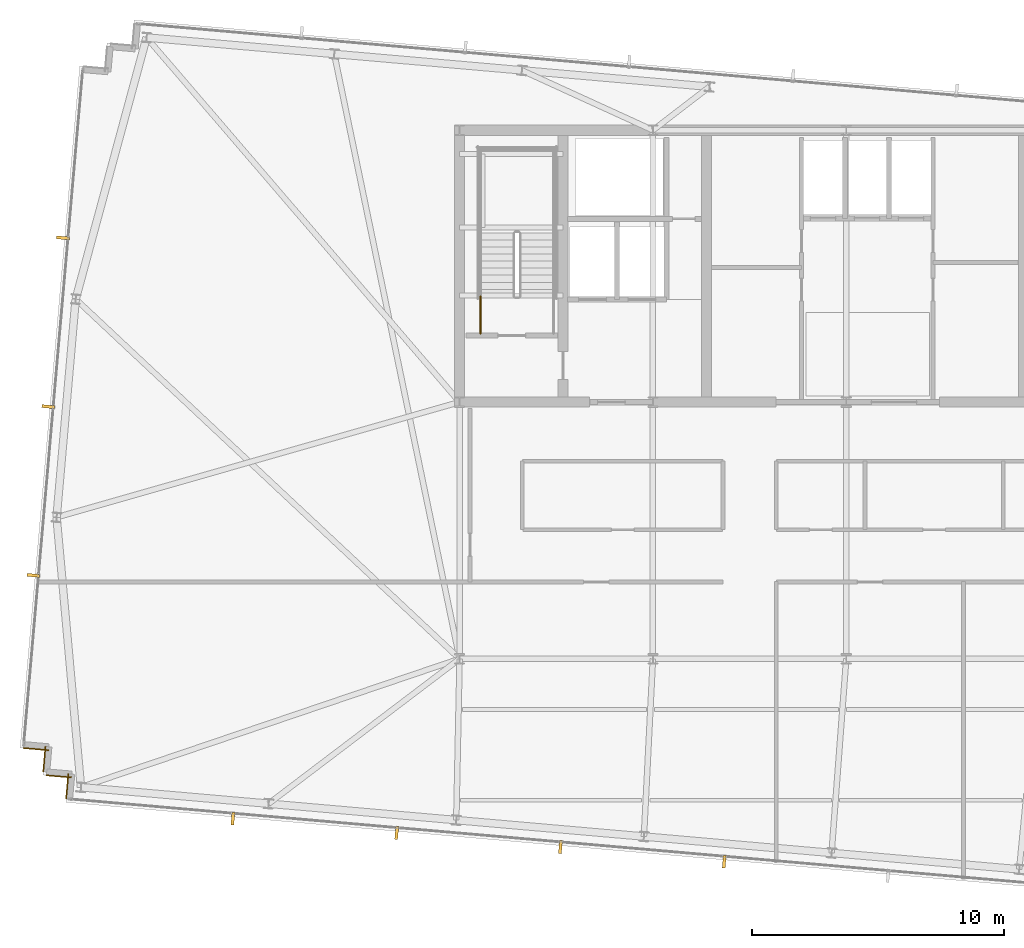
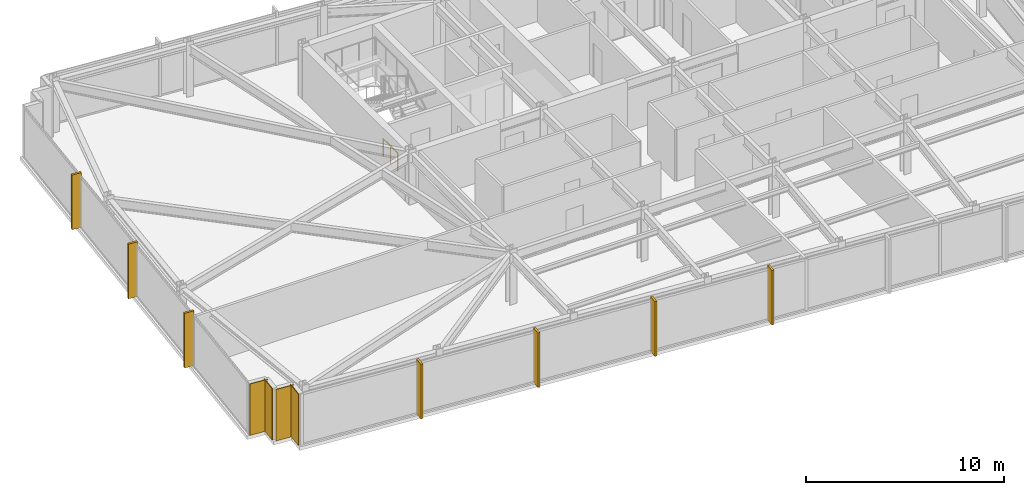
# One storey, part 29 of 32: 7 shading devices, 4 coverings, 1 railing.
"""IFC4 building model written with IfcOpenShell, lengths in metres."""

import ifcopenshell
import ifcopenshell.guid

model = None  # the IFC model being written
_history = None  # IfcOwnerHistory: only IFC2X3 demands one
_inside = {}  # id of a spatial element -> (the spatial element, [elements in it])
_under = {}  # id of a project, library or spatial element -> (it, [spatial elements below it])
_declared = {}  # id of a project -> (the project, [libraries it declares])
_typed = {}  # id of a type object -> (the type object, [elements of that type])
_made_of = {}  # id of a material, layer set ... -> (it, [elements and type objects made of it])


def new_model(schema):
    """Start an empty IFC model of exactly this schema.

    Asked for "IFC4X3", IfcOpenShell would pick the latest addendum, in which some entities
    have other attributes; the version numbers below select the first issue.
    IFC2X3 requires an IfcOwnerHistory on every rooted entity: one is made here for all.
    """
    global model, _history
    if schema == "IFC4X3":
        model = ifcopenshell.file(schema_version=(4, 3, 0, 0))
    else:
        model = ifcopenshell.file(schema=schema)
    _inside.clear()
    _under.clear()
    _declared.clear()
    _typed.clear()
    _made_of.clear()
    _history = None
    if model.schema == "IFC2X3":
        org = make("IfcOrganization", Name="unknown")
        user = make(
            "IfcPersonAndOrganization",
            ThePerson=make("IfcPerson", FamilyName="unknown"),
            TheOrganization=org,
        )
        app = make(
            "IfcApplication",
            ApplicationDeveloper=org,
            Version="unknown",
            ApplicationFullName="unknown",
            ApplicationIdentifier="unknown",
        )
        _history = make(
            "IfcOwnerHistory",
            OwningUser=user,
            OwningApplication=app,
            ChangeAction="ADDED",
            CreationDate=0,
        )
    return model


def make(cls, **values):
    """One entity of the class cls with the attributes given. An attribute that is None is left unset."""
    return model.create_entity(
        cls, **{name: value for name, value in values.items() if value is not None}
    )


def rooted(cls, **values):
    """An entity with a GlobalId (a new one), such as an element, a storey or a relation."""
    return make(cls, GlobalId=ifcopenshell.guid.new(), OwnerHistory=_history, **values)


def si_unit(unit_type, name, prefix=None):
    """IfcSIUnit, for example si_unit("LENGTHUNIT", "METRE", prefix="MILLI")."""
    return make("IfcSIUnit", UnitType=unit_type, Prefix=prefix, Name=name)


def assignment(units):
    """IfcUnitAssignment: the units of a project."""
    return None if units is None else make("IfcUnitAssignment", Units=units)


def point(xyz):
    """IfcCartesianPoint."""
    return None if xyz is None else make("IfcCartesianPoint", Coordinates=xyz)


def direction(xyz):
    """IfcDirection."""
    return None if xyz is None else make("IfcDirection", DirectionRatios=xyz)


def frame(location, z_axis=None, x_axis=None):
    """IfcAxis2Placement3D, a coordinate frame: its origin and axes. An axis left out is left unset."""
    return make(
        "IfcAxis2Placement3D",
        Location=point(location),
        Axis=direction(z_axis),
        RefDirection=direction(x_axis),
    )


def frame_2d(location, x_axis=None):
    """IfcAxis2Placement2D, a coordinate frame in the plane: its origin and x axis."""
    return make(
        "IfcAxis2Placement2D", Location=point(location), RefDirection=direction(x_axis)
    )


def origin():
    """The frame at (0, 0, 0) with its axes left unset."""
    return frame((0.0, 0.0, 0.0))


def origin_2d():
    """The frame at (0, 0) in the plane with its x axis left unset."""
    return frame_2d((0.0, 0.0))


def place(relative_to, where):
    """IfcLocalPlacement: puts the frame where relative to a parent placement (None: the world)."""
    return make(
        "IfcLocalPlacement", PlacementRelTo=relative_to, RelativePlacement=where
    )


def context(
    kind, dimensions, precision=None, world=None, true_north=None, identifier=None
):
    """IfcGeometricRepresentationContext, for example the 3D "Model" context."""
    return make(
        "IfcGeometricRepresentationContext",
        ContextIdentifier=identifier,
        ContextType=kind,
        CoordinateSpaceDimension=dimensions,
        Precision=precision,
        WorldCoordinateSystem=world,
        TrueNorth=true_north,
    )


def subcontext(parent, identifier, kind, view, scale=None):
    """IfcGeometricRepresentationSubContext, for example "Body" below "Model"."""
    return make(
        "IfcGeometricRepresentationSubContext",
        ContextIdentifier=identifier,
        ContextType=kind,
        ParentContext=parent,
        TargetScale=scale,
        TargetView=view,
    )


def project(units=None, contexts=None):
    """IfcProject with its units and contexts."""
    return rooted(
        "IfcProject",
        Name="project",
        RepresentationContexts=contexts,
        UnitsInContext=assignment(units),
    )


def spatial(cls, under=None, at=None, **own):
    """A site, building, storey or space (cls), placed at a placement, below another one or the project."""
    s = rooted(cls, ObjectPlacement=at, **own)
    if under is not None:
        _under.setdefault(under.id(), (under, []))[1].append(s)
    return s


def profile(cls, at=None, kind="AREA", **sizes):
    """A parametric profile (cls). Its sizes go by their IFC names, for example OverallWidth=200.0."""
    return make(cls, ProfileType=kind, Position=at, **sizes)


def rectangle(**sizes):
    """IfcRectangleProfileDef."""
    return profile("IfcRectangleProfileDef", **sizes)


def circle(**sizes):
    """IfcCircleProfileDef."""
    return profile("IfcCircleProfileDef", **sizes)


def extrude(swept, where, along, depth):
    """IfcExtrudedAreaSolid: the profile swept, set in the frame where, extruded along a direction by depth."""
    return make(
        "IfcExtrudedAreaSolid",
        SweptArea=swept,
        Position=where,
        ExtrudedDirection=direction(along),
        Depth=depth,
    )


def shape(context_of_items, identifier, shape_type, items):
    """IfcShapeRepresentation: the items that make up one representation, for example the "Body"."""
    return make(
        "IfcShapeRepresentation",
        ContextOfItems=context_of_items,
        RepresentationIdentifier=identifier,
        RepresentationType=shape_type,
        Items=items,
    )


def material(Name=None, Category=None):
    """IfcMaterial."""
    return make("IfcMaterial", Name=Name, Category=Category)


def layer(
    of_material, thickness, ventilated=None, Name=None, Category=None, Priority=None
):
    """IfcMaterialLayer: one layer of a wall or slab, of a material (None: an air gap)."""
    return make(
        "IfcMaterialLayer",
        Material=of_material,
        LayerThickness=thickness,
        IsVentilated=ventilated,
        Name=Name,
        Category=Category,
        Priority=Priority,
    )


def layer_set(layers, Name=None):
    """IfcMaterialLayerSet."""
    return make("IfcMaterialLayerSet", MaterialLayers=layers, LayerSetName=Name)


def made_of(thing, what):
    """Note that an element or type object is made of a material, layer set ...; save() writes the relation."""
    if what is not None:
        _made_of.setdefault(what.id(), (what, []))[1].append(thing)
    return thing


def type_object(cls, material=None, **own):
    """A type object (cls), such as IfcWallType, which elements share."""
    return made_of(rooted(cls, **own), material)


def element(
    cls,
    number,
    at=None,
    inside=None,
    cuts=None,
    type_object=None,
    material=None,
    context=None,
    identifier="Body",
    shape_type=None,
    held_by="IfcProductDefinitionShape",
    body=None,
    shapes=None,
    **own,
):
    """One element of the class cls, such as IfcWall. Its Tag is "e" and its number.

    at: its placement. inside: the storey or other place that contains it. cuts: it is an
    opening in that element (IfcRelVoidsElement). A single representation is given by context,
    identifier, shape_type and body (its items); several are given by shapes. held_by: the class
    of the entity that holds the representations. save() writes the other relations.
    """
    e = rooted(cls, Tag="e%d" % number, ObjectPlacement=at, **own)
    if body is not None:
        shapes = [shape(context, identifier, shape_type, body)]
    if shapes is not None:
        e.Representation = make(held_by, Representations=shapes)
    if inside is not None:
        _inside.setdefault(inside.id(), (inside, []))[1].append(e)
    if cuts is not None:
        rooted(
            "IfcRelVoidsElement", RelatingBuildingElement=cuts, RelatedOpeningElement=e
        )
    if type_object is not None:
        _typed.setdefault(type_object.id(), (type_object, []))[1].append(e)
    return made_of(e, material)


def aggregate(whole, parts):
    """IfcRelAggregates: a whole, such as a stair, and the parts it consists of."""
    return rooted("IfcRelAggregates", RelatingObject=whole, RelatedObjects=parts)


def save(model, path):
    """Write the relations noted so far, then the file.

    IfcRelAggregates (storeys below a building ...), IfcRelContainedInSpatialStructure (elements
    in a storey), IfcRelDefinesByType, IfcRelAssociatesMaterial and IfcRelDeclares: one each for
    every whole, place, type object, material and project.
    """
    for whole, parts in _under.values():
        aggregate(whole, parts)
    for where, things in _inside.values():
        rooted(
            "IfcRelContainedInSpatialStructure",
            RelatedElements=things,
            RelatingStructure=where,
        )
    for kind, things in _typed.values():
        rooted("IfcRelDefinesByType", RelatedObjects=things, RelatingType=kind)
    for what, things in _made_of.values():
        rooted("IfcRelAssociatesMaterial", RelatedObjects=things, RelatingMaterial=what)
    for by, libraries in _declared.values():
        rooted("IfcRelDeclares", RelatingContext=by, RelatedDefinitions=libraries)
    model.write(path)


model = new_model("IFC4")

# Units and contexts
model_context = context("Model", 3, precision=1e-05, world=origin(), true_north=direction((0.0, 1.0)))
body_context = subcontext(model_context, "Body", "Model", "MODEL_VIEW")
ifc_project = project(units=[si_unit("LENGTHUNIT", "METRE"), si_unit("AREAUNIT", "SQUARE_METRE"), si_unit("VOLUMEUNIT", "CUBIC_METRE"), si_unit("PLANEANGLEUNIT", "RADIAN"), si_unit("MASSUNIT", "GRAM", prefix="KILO")], contexts=[model_context])

# Site, building, storey
site_placement = place(None, origin())
site = spatial("IfcSite", under=ifc_project, at=site_placement, CompositionType="ELEMENT")
building_placement = place(site_placement, origin())
building = spatial("IfcBuilding", under=site, at=building_placement, Name="Yelkora Congress Tower", CompositionType="ELEMENT")
storey_placement = place(building_placement, frame((0.0, 0.0, 265.89990234375)))
storey = spatial("IfcBuildingStorey", under=building, at=storey_placement, Name="L74", CompositionType="ELEMENT", Elevation=265.89990234375)

# Coverings
ifc_material_1 = material(Name="Anatolian bush-hammered limestone", Category="masonry")
ifc_layer_1 = layer(ifc_material_1, 0.0400390625)
ifc_layer_set_1 = layer_set([ifc_layer_1], Name="Anatolian bush-hammered limestone")
covering_type = type_object("IfcCoveringType", Name="COV-CLAD-SPANDREL-40", PredefinedType="CLADDING", material=ifc_layer_set_1)
for number, where, z_axis, x_axis, name in (
    (1, (7.41064453125, 19.63720703125, 0.0), (0.0, 0.0, 1.0), (0.087166950281, 0.996193717496, 0.0), "L74 Anatolian Limestone Cladding EW-L74-SR01"),
    (2, (7.62060546875, 20.4873046875, 0.0), (0.0, 0.0, 1.0), (-0.996214890596, 0.086924632611, 0.0), "L74 Anatolian Limestone Cladding EW-L74-SR02"),
):
    element("IfcCovering", number, at=place(storey_placement, frame(where, z_axis=z_axis, x_axis=x_axis)), inside=storey, type_object=covering_type, Name=name, PredefinedType="CLADDING", context=body_context, shape_type="SweptSolid", body=[
        extrude(rectangle(XDim=1.0, YDim=0.0400390625, at=frame_2d((0.5, 0.0))), origin(), (0.0, 0.0, 1.0), 3.18017578125),
    ])
covering_1_placement = place(storey_placement, frame((6.501708984375, 20.720458984375, 0.0), z_axis=(0.0, 0.0, 1.0), x_axis=(0.087145753297, 0.996195572005, 0.0)))
element("IfcCovering", 3, at=covering_1_placement, inside=storey, type_object=covering_type, Name="L74 Anatolian Limestone Cladding EW-L74-SR03", PredefinedType="CLADDING", context=body_context, shape_type="SweptSolid", body=[
    extrude(rectangle(XDim=1.000244140625, YDim=0.0400390625, at=frame_2d((0.5, 0.0))), origin(), (0.0, 0.0, 1.0), 3.18017578125),
])
covering_2_placement = place(storey_placement, frame((6.71142578125, 21.570556640625, 0.0), z_axis=(0.0, 0.0, 1.0), x_axis=(-0.996193717496, 0.087166950281, 0.0)))
element("IfcCovering", 4, at=covering_2_placement, inside=storey, type_object=covering_type, Name="L74 Anatolian Limestone Cladding EW-L74-SR04", PredefinedType="CLADDING", context=body_context, shape_type="SweptSolid", body=[
    extrude(rectangle(XDim=1.0, YDim=0.0400390625, at=frame_2d((0.5, 0.0))), origin(), (0.0, 0.0, 1.0), 3.18017578125),
])

# Railing
ifc_material_2 = material(Name="Painted galvanised steel stair well guard with vertical infill", Category="steel")
ifc_layer_2 = layer(ifc_material_2, 0.06005859375)
ifc_layer_set_2 = layer_set([ifc_layer_2], Name="Painted galvanised steel stair well guard with vertical infill")
railing_type = type_object("IfcRailingType", Name="RAIL-STAIR-GUARD-1120", PredefinedType="GUARDRAIL", material=ifc_layer_set_2)
railing_placement = place(storey_placement, frame((23.8701171875, 38.1201171875, 0.0)))
element("IfcRailing", 5, at=railing_placement, inside=storey, type_object=railing_type, Name="ST-01 L74 Stair Well Guardrail 9", PredefinedType="GUARDRAIL", context=body_context, shape_type="SweptSolid", body=[
    extrude(circle(Radius=0.02392578125, at=origin_2d()), frame((0.0, 0.0, 1.09619140625), z_axis=(0.0, 1.0, 0.0), x_axis=(-1.0, 0.0, 0.0)), (0.0, 0.0, 1.0), 1.47998046875),
    extrude(circle(Radius=0.02099609375, at=origin_2d()), origin(), (0.0, 0.0, 1.0), 1.072021484375),
    extrude(circle(Radius=0.02099609375, at=origin_2d()), frame((0.0, 0.739990234375, 0.0)), (0.0, 0.0, 1.0), 1.072021484375),
    extrude(circle(Radius=0.02099609375, at=origin_2d()), frame((0.0, 1.47998046875, 0.0)), (0.0, 0.0, 1.0), 1.072021484375),
])

# Shading devices
ifc_material_3 = material(Name="Champagne anodised aluminium", Category="aluminium")
ifc_layer_3 = layer(ifc_material_3, 3.300048828125)
ifc_layer_set_3 = layer_set([ifc_layer_3], Name="Champagne anodised aluminium")
shading_device_type = type_object("IfcShadingDeviceType", Name="SHD-FIN-ALU-520", PredefinedType="USERDEFINED", material=ifc_layer_set_3)
for number, where, z_axis, x_axis, name in (
    (6, (6.114501953125, 28.513916015625, -0.02978515625), (0.0, 0.0, 1.0), (0.087155742748, 0.996194698092, 0.0), "L74 Vertical Anodised Solar Fin 5-1"),
    (7, (6.700927734375, 35.218505859375, -0.02978515625), (0.0, 0.0, 1.0), (0.087155742748, 0.996194698092, 0.0), "L74 Vertical Anodised Solar Fin 5-2"),
    (8, (7.28759765625, 41.9228515625, -0.02978515625), (0.0, 0.0, 1.0), (0.087155742748, 0.996194698092, 0.0), "L74 Vertical Anodised Solar Fin 5-3"),
    (9, (33.553955078125, 17.149169921875, -0.02978515625), (0.0, 0.0, 1.0), (-0.996194698092, 0.087155742748, 0.0), "L74 Vertical Anodised Solar Fin 20-3"),
    (10, (27.04736328125, 17.718505859375, -0.02978515625), (0.0, 0.0, 1.0), (-0.996194698092, 0.087155742748, 0.0), "L74 Vertical Anodised Solar Fin 20-4"),
    (11, (20.541015625, 18.28759765625, -0.02978515625), (0.0, 0.0, 1.0), (-0.996194698092, 0.087155742748, 0.0), "L74 Vertical Anodised Solar Fin 20-5"),
    (12, (14.0341796875, 18.85693359375, -0.02978515625), (0.0, 0.0, 1.0), (-0.996194698092, 0.087155742748, 0.0), "L74 Vertical Anodised Solar Fin 20-6"),
):
    element("IfcShadingDevice", number, at=place(storey_placement, frame(where, z_axis=z_axis, x_axis=x_axis)), inside=storey, type_object=shading_device_type, Name=name, ObjectType="FIN", PredefinedType="USERDEFINED", context=body_context, shape_type="SweptSolid", body=[
        extrude(rectangle(XDim=0.1201171875, YDim=0.52001953125, at=origin_2d()), origin(), (0.0, 0.0, 1.0), 3.3798828125),
    ])

save(model, "model.ifc")
